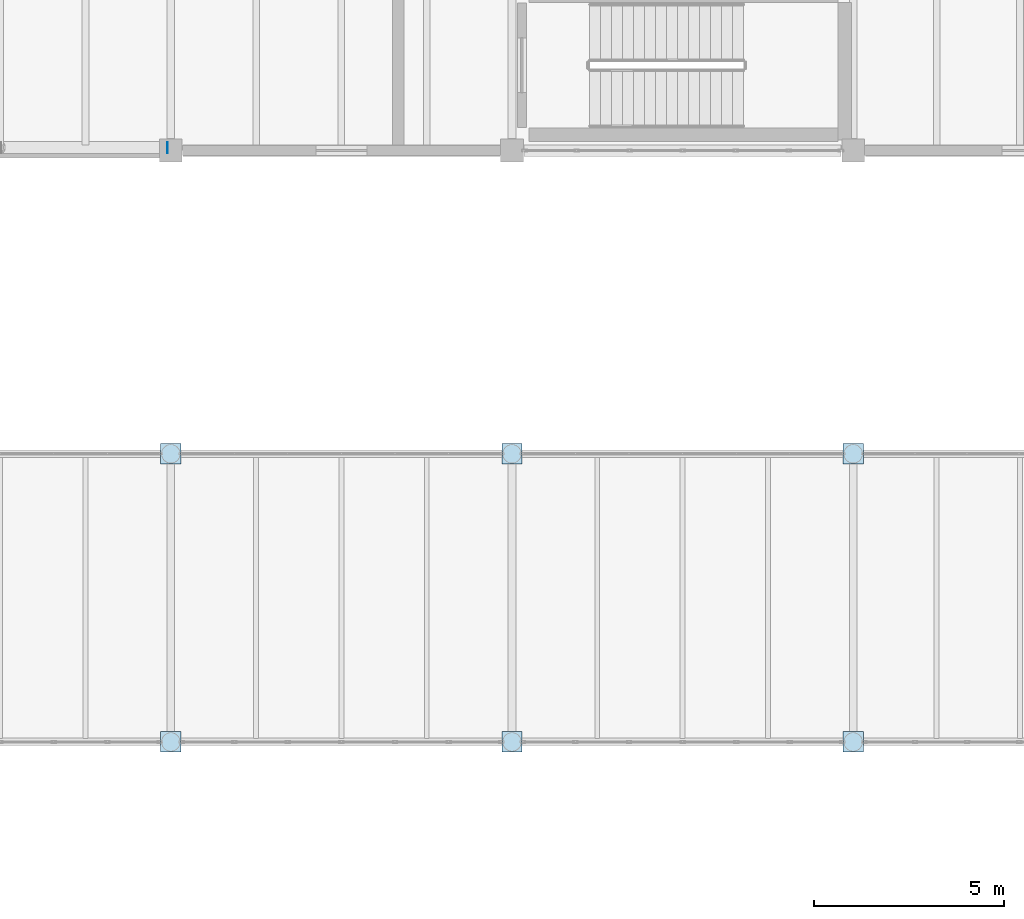
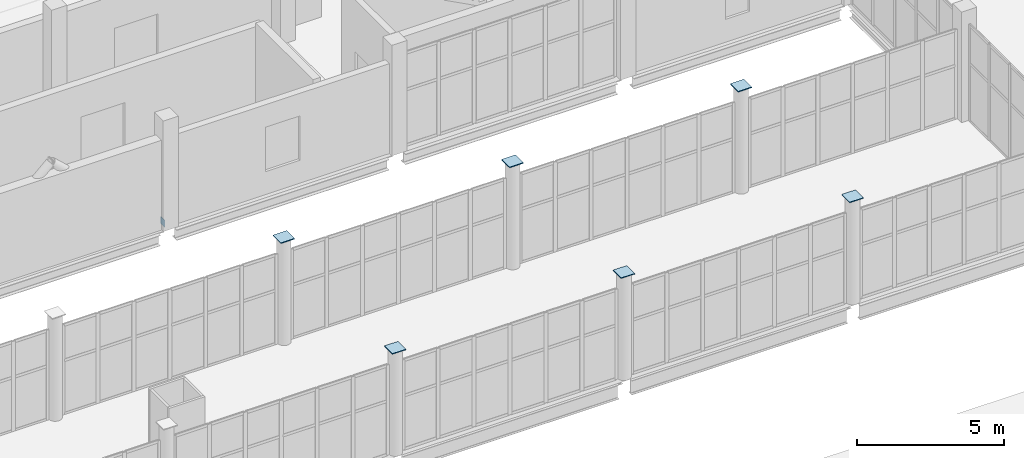
# One storey, part 116 of 136: 7 plates.
"""IFC4 building model written with IfcOpenShell, lengths in metres."""

from ifc_helpers import new_model, si_unit, direction, frame, origin, origin_2d, place, context, subcontext, project, spatial, rectangle, extrude, material, layer, layer_set, type_object, element, save


model = new_model("IFC4")

# Units and contexts
model_context = context("Model", 3, precision=1e-05, world=origin(), true_north=direction((0.0, 1.0)))
body_context = subcontext(model_context, "Body", "Model", "MODEL_VIEW")
ifc_project = project(units=[si_unit("LENGTHUNIT", "METRE"), si_unit("AREAUNIT", "SQUARE_METRE"), si_unit("VOLUMEUNIT", "CUBIC_METRE"), si_unit("PLANEANGLEUNIT", "RADIAN"), si_unit("MASSUNIT", "GRAM", prefix="KILO")], contexts=[model_context])

# Site, building, storey
site_placement = place(None, origin())
site = spatial("IfcSite", under=ifc_project, at=site_placement, CompositionType="ELEMENT")
building_placement = place(site_placement, origin())
building = spatial("IfcBuilding", under=site, at=building_placement, Name="Shengluoqiao Park Theatre", CompositionType="ELEMENT")
storey_placement = place(building_placement, frame((0.0, 0.0, 10.0)))
storey = spatial("IfcBuildingStorey", under=building, at=storey_placement, Name="L02", CompositionType="ELEMENT", Elevation=10.0)

# Plates
ifc_material_1 = material(Name="Steel Q355", Category="steel")
ifc_layer_1 = layer(ifc_material_1, 0.013916015625, Name="Steel Q355")
ifc_layer_set_1 = layer_set([ifc_layer_1], Name="Steel Q355")
plate_type_1 = type_object("IfcPlateType", Name="STR-PLT-EC-280", PredefinedType="SHEET", material=ifc_layer_set_1)
plate_placement = place(storey_placement, frame((130.30712890625, 84.080078125, -0.0400390625), z_axis=(0.0, 0.0, 1.0), x_axis=(-1.0, 0.0, 0.0)))
element("IfcPlate", 1, at=plate_placement, inside=storey, type_object=plate_type_1, Name="Hollow Tube End Cap Plate 00178", PredefinedType="SHEET", context=body_context, shape_type="SweptSolid", body=[
    extrude(rectangle(XDim=0.013916015625, YDim=0.2900390625, at=origin_2d()), origin(), (0.0, 0.0, 1.0), 0.2900390625),
])
ifc_material_2 = material(Name="Steel Q390", Category="steel")
ifc_layer_2 = layer(ifc_material_2, 0.033935546875, Name="Steel Q390")
ifc_layer_set_2 = layer_set([ifc_layer_2], Name="Steel Q390")
plate_type_2 = type_object("IfcPlateType", Name="STR-PLT-EC-540", PredefinedType="SHEET", material=ifc_layer_set_2)
for number, where, z_axis, x_axis, name in (
    (2, (130.39990234375, 68.39990234375, 4.31884765625), (0.0, 0.0, 1.0), (1.0, 0.0, 0.0), "Hollow Column Top Cap Plate 00026"),
    (3, (130.39990234375, 76.0, 4.31884765625), (0.0, 0.0, 1.0), (1.0, 0.0, 0.0), "Hollow Column Top Cap Plate 00027"),
    (4, (139.39990234375, 68.39990234375, 4.31884765625), (0.0, 0.0, 1.0), (1.0, 0.0, 0.0), "Hollow Column Top Cap Plate 00030"),
    (5, (139.39990234375, 76.0, 4.31884765625), (0.0, 0.0, 1.0), (1.0, 0.0, 0.0), "Hollow Column Top Cap Plate 00031"),
    (6, (148.39990234375, 68.39990234375, 4.31884765625), (0.0, 0.0, 1.0), (1.0, 0.0, 0.0), "Hollow Column Top Cap Plate 00034"),
    (7, (148.39990234375, 76.0, 4.31884765625), (0.0, 0.0, 1.0), (1.0, 0.0, 0.0), "Hollow Column Top Cap Plate 00035"),
):
    element("IfcPlate", number, at=place(storey_placement, frame(where, z_axis=z_axis, x_axis=x_axis)), inside=storey, type_object=plate_type_2, Name=name, PredefinedType="SHEET", context=body_context, shape_type="SweptSolid", body=[
        extrude(rectangle(XDim=0.5400390625, YDim=0.5400390625, at=origin_2d()), origin(), (0.0, 0.0, 1.0), 0.033935546875),
    ])

save(model, "model.ifc")
